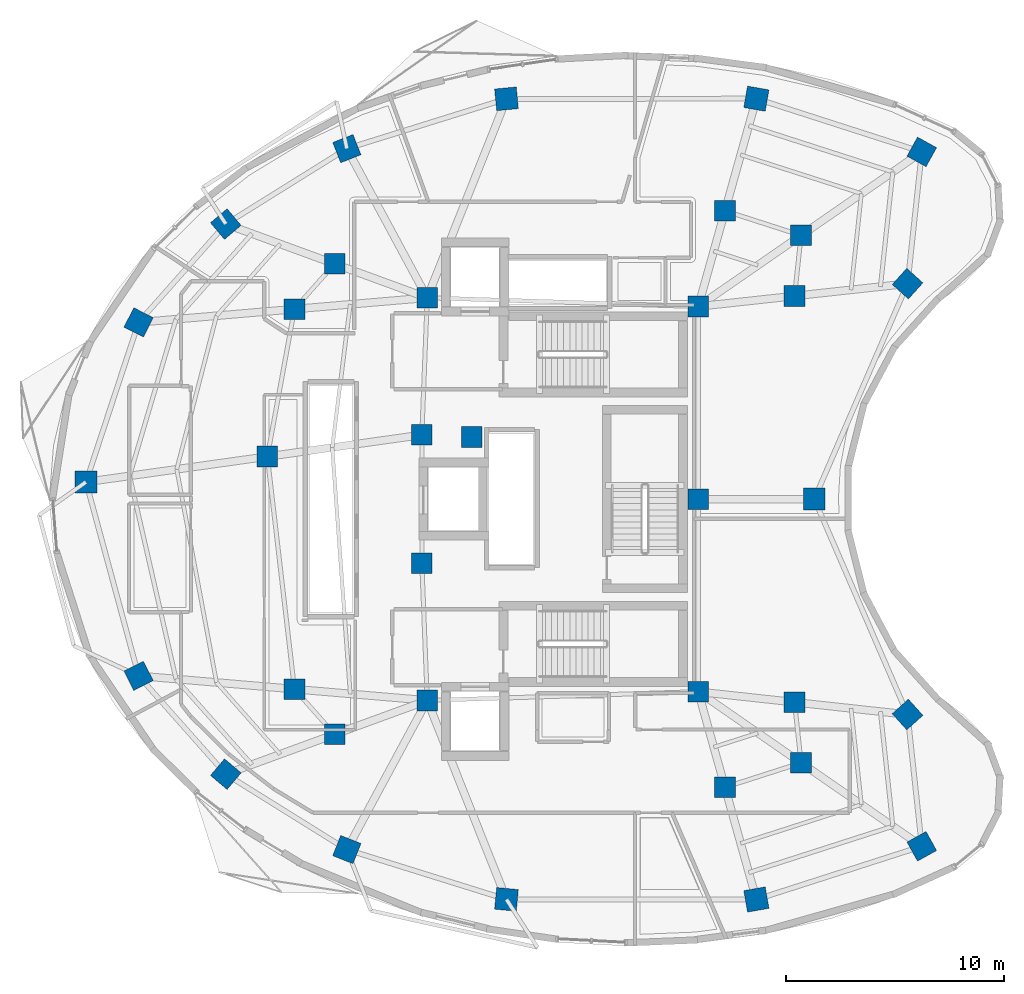
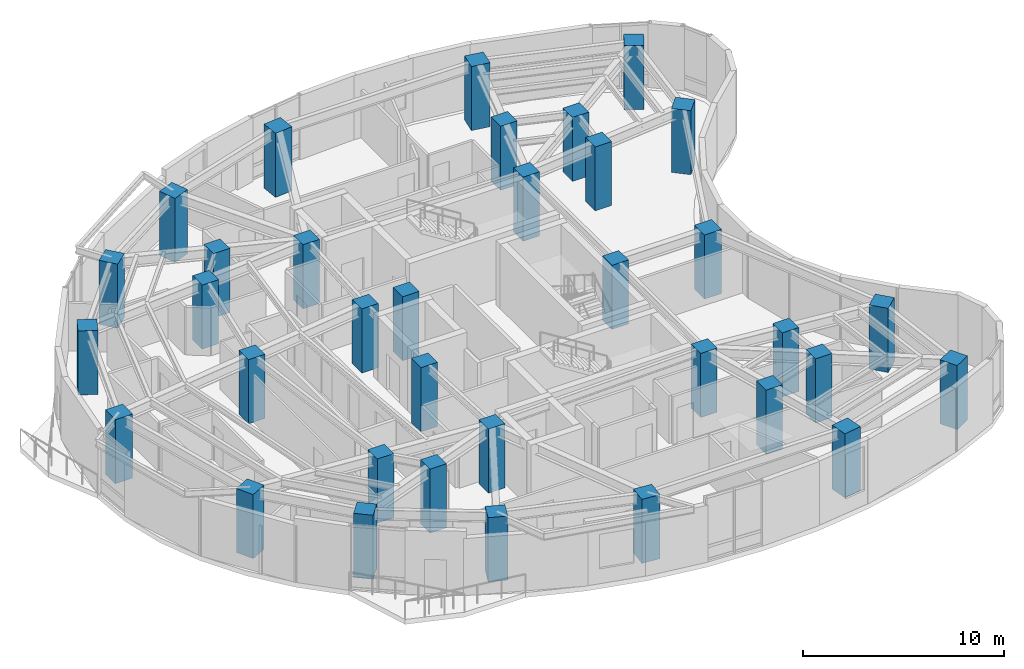
# One storey, part 1 of 13: 35 columns.
"""IFC4 building model written with IfcOpenShell, lengths in metres."""

from ifc_helpers import new_model, si_unit, direction, frame, origin, origin_2d, place, context, subcontext, project, spatial, rectangle, extrude, material, material_profile, profile_set, type_object, element, save


model = new_model("IFC4")

# Units and contexts
model_context = context("Model", 3, precision=1e-05, world=origin(), true_north=direction((0.0, 1.0)))
body_context = subcontext(model_context, "Body", "Model", "MODEL_VIEW")
ifc_project = project(units=[si_unit("LENGTHUNIT", "METRE"), si_unit("AREAUNIT", "SQUARE_METRE"), si_unit("VOLUMEUNIT", "CUBIC_METRE"), si_unit("PLANEANGLEUNIT", "RADIAN"), si_unit("MASSUNIT", "GRAM", prefix="KILO")], contexts=[model_context])

# Site, building, storey
site_placement = place(None, origin())
site = spatial("IfcSite", under=ifc_project, at=site_placement, CompositionType="ELEMENT")
building_placement = place(site_placement, origin())
building = spatial("IfcBuilding", under=site, at=building_placement, Name="Korentha Bioscience Tower", CompositionType="ELEMENT")
storey_placement = place(building_placement, frame((0.0, 0.0, 171.0)))
storey = spatial("IfcBuildingStorey", under=building, at=storey_placement, Name="L39", CompositionType="ELEMENT", Elevation=171.0)

# Columns
ifc_material = material(Name="Concrete C65", Category="concrete")
ifc_material_profile_1 = material_profile(ifc_material, rectangle(XDim=0.949951171875, YDim=0.949951171875, at=origin_2d()), Name="Concrete C65")
ifc_profile_set_1 = profile_set([ifc_material_profile_1], Name="Concrete C65 (COL-CP09)")
column_type_1 = type_object("IfcColumnType", Name="Core Pilaster Column RC 950x950", PredefinedType="PILASTER", material=ifc_profile_set_1)
for number, where, z_axis, x_axis, name in (
    (1, (37.550048828125, 35.85009765625, -0.00048828125), (0.0, 0.0, 1.0), (1.0, 0.0, 0.0), "L39 Core Pilaster CP-01"),
    (2, (25.10009765625, 36.25, -0.00048828125), (0.0, 0.0, 1.0), (1.0, 0.0, 0.0), "L39 Core Pilaster CP-02"),
    (3, (24.85009765625, 29.949951171875, -0.00048828125), (0.0, 0.0, 1.0), (1.0, 0.0, 0.0), "L39 Core Pilaster CP-03"),
    (4, (27.14990234375, 29.85009765625, -0.00048828125), (0.0, 0.0, 1.0), (1.0, 0.0, 0.0), "L39 Core Pilaster CP-04"),
    (5, (24.85009765625, 24.050048828125, -0.00048828125), (0.0, 0.0, 1.0), (1.0, 0.0, 0.0), "L39 Core Pilaster CP-05"),
    (6, (25.10009765625, 17.75, -0.00048828125), (0.0, 0.0, 1.0), (1.0, 0.0, 0.0), "L39 Core Pilaster CP-06"),
    (7, (37.550048828125, 18.14990234375, -0.00048828125), (0.0, 0.0, 1.0), (1.0, 0.0, 0.0), "L39 Core Pilaster CP-07"),
    (8, (37.550048828125, 27.0, -0.00048828125), (0.0, 0.0, 1.0), (1.0, 0.0, 0.0), "L39 Core Pilaster CP-08"),
):
    element("IfcColumn", number, at=place(storey_placement, frame(where, z_axis=z_axis, x_axis=x_axis)), inside=storey, type_object=column_type_1, Name=name, PredefinedType="PILASTER", context=body_context, shape_type="SweptSolid", body=[
        extrude(rectangle(XDim=0.949951171875, YDim=0.949951171875, at=origin_2d()), origin(), (0.0, 0.0, 1.0), 3.90087890625),
    ])
ifc_material_profile_2 = material_profile(ifc_material, rectangle(XDim=0.949951171875, YDim=0.949951171875, at=origin_2d()), Name="Concrete C65")
ifc_profile_set_2 = profile_set([ifc_material_profile_2], Name="Concrete C65 (COL-MR09)")
column_type_2 = type_object("IfcColumnType", Name="Mid-Ring Lab Column RC 950x950", PredefinedType="COLUMN", material=ifc_profile_set_2)
for number, where, z_axis, x_axis, name in (
    (9, (42.274658203125, 39.1171875, -0.00048828125), (0.0, 0.0, 1.0), (1.0, 0.0, 0.0), "L39 Mid-Ring Column 01"),
    (10, (38.77880859375, 40.2412109375, -0.00048828125), (0.0, 0.0, 1.0), (1.0, 0.0, 0.0), "L39 Mid-Ring Column 02"),
    (11, (20.84228515625, 37.807861328125, -0.00048828125), (0.0, 0.0, 1.0), (1.0, 0.0, 0.0), "L39 Mid-Ring Column 05"),
    (12, (18.99951171875, 35.72998046875, -0.00048828125), (0.0, 0.0, 1.0), (1.0, 0.0, 0.0), "L39 Mid-Ring Column 06"),
    (13, (17.75341796875, 28.95458984375, -0.00048828125), (0.0, 0.0, 1.0), (1.0, 0.0, 0.0), "L39 Mid-Ring Column 07"),
    (14, (18.99951171875, 18.27001953125, -0.00048828125), (0.0, 0.0, 1.0), (1.0, 0.0, 0.0), "L39 Mid-Ring Column 08"),
    (15, (20.84228515625, 16.192138671875, -0.00048828125), (0.0, 0.0, 1.0), (1.0, 0.0, 0.0), "L39 Mid-Ring Column 09"),
    (16, (38.77880859375, 13.7587890625, -0.00048828125), (0.0, 0.0, 1.0), (1.0, 0.0, 0.0), "L39 Mid-Ring Column 12"),
    (17, (42.274658203125, 14.8828125, -0.00048828125), (0.0, 0.0, 1.0), (1.0, 0.0, 0.0), "L39 Mid-Ring Column 13"),
    (18, (41.97412109375, 17.66796875, -0.00048828125), (0.0, 0.0, 1.0), (1.0, 0.0, 0.0), "L39 Mid-Ring Column 14"),
    (19, (41.97412109375, 36.33203125, -0.00048828125), (0.0, 0.0, 1.0), (1.0, 0.0, 0.0), "L39 Mid-Ring Column 16"),
):
    element("IfcColumn", number, at=place(storey_placement, frame(where, z_axis=z_axis, x_axis=x_axis)), inside=storey, type_object=column_type_2, Name=name, PredefinedType="COLUMN", context=body_context, shape_type="SweptSolid", body=[
        extrude(rectangle(XDim=0.949951171875, YDim=0.949951171875, at=origin_2d()), origin(), (0.0, 0.0, 1.0), 3.90087890625),
    ])
ifc_material_profile_3 = material_profile(ifc_material, rectangle(XDim=1.0, YDim=1.0, at=origin_2d()), Name="Concrete C65")
ifc_profile_set_3 = profile_set([ifc_material_profile_3], Name="Concrete C65 (COL-P10)")
column_type_3 = type_object("IfcColumnType", Name="Perimeter Column RC 1000x1000", PredefinedType="COLUMN", material=ifc_profile_set_3)
for number, where, z_axis, x_axis, name in (
    (20, (47.821044921875, 42.95263671875, -0.00048828125), (0.0, 0.0, 1.0), (-0.874535078577, 0.484962262797, 0.0), "L39 Perimeter Column 01"),
    (21, (40.22119140625, 45.39599609375, -0.00048828125), (0.0, 0.0, 1.0), (-0.984868307662, 0.173304404339, 0.0), "L39 Perimeter Column 02"),
    (22, (28.739501953125, 45.390380859375, -0.00048828125), (0.0, 0.0, 1.0), (0.995462868748, 0.095150811579, 0.0), "L39 Perimeter Column 03"),
    (23, (21.405517578125, 43.102783203125, -0.00048828125), (0.0, 0.0, 1.0), (0.930225540858, 0.366988341962, 0.0), "L39 Perimeter Column 04"),
    (24, (15.843994140625, 39.63671875, -0.00048828125), (0.0, 0.0, 1.0), (0.764246456939, 0.644924300253, 0.0), "L39 Perimeter Column 05"),
    (25, (11.837890625, 35.119384765625, -0.00048828125), (0.0, 0.0, 1.0), (0.453057191132, 0.891481453292, 0.0), "L39 Perimeter Column 06"),
    (26, (9.422607421875, 27.785888671875, -0.00048828125), (0.0, 0.0, 1.0), (0.0, 1.0, 0.0), "L39 Perimeter Column 07"),
    (27, (11.837890625, 18.880615234375, -0.00048828125), (0.0, 0.0, 1.0), (-0.453057191132, 0.891481453292, 0.0), "L39 Perimeter Column 08"),
    (28, (15.843994140625, 14.36328125, -0.00048828125), (0.0, 0.0, 1.0), (-0.764246456939, 0.644924300253, 0.0), "L39 Perimeter Column 09"),
    (29, (21.405517578125, 10.897216796875, -0.00048828125), (0.0, 0.0, 1.0), (-0.930225540858, 0.366988341962, 0.0), "L39 Perimeter Column 10"),
    (30, (28.739501953125, 8.609619140625, -0.00048828125), (0.0, 0.0, 1.0), (-0.995462868748, 0.095150811579, 0.0), "L39 Perimeter Column 11"),
    (31, (40.22119140625, 8.60400390625, -0.00048828125), (0.0, 0.0, 1.0), (0.984868307662, 0.173304404339, 0.0), "L39 Perimeter Column 12"),
    (32, (47.821044921875, 11.04736328125, -0.00048828125), (0.0, 0.0, 1.0), (0.874535078577, 0.484962262797, 0.0), "L39 Perimeter Column 13"),
    (33, (47.16748046875, 17.10205078125, -0.00048828125), (0.0, 0.0, 1.0), (-0.669130606359, 0.743144825477, 0.0), "L39 Perimeter Column 14"),
    (34, (42.8818359375, 27.0, -0.00048828125), (0.0, 0.0, 1.0), (0.0, 1.0, 0.0), "L39 Perimeter Column 15"),
    (35, (47.16748046875, 36.89794921875, -0.00048828125), (0.0, 0.0, 1.0), (0.669130606359, 0.743144825477, 0.0), "L39 Perimeter Column 16"),
):
    element("IfcColumn", number, at=place(storey_placement, frame(where, z_axis=z_axis, x_axis=x_axis)), inside=storey, type_object=column_type_3, Name=name, PredefinedType="COLUMN", context=body_context, shape_type="SweptSolid", body=[
        extrude(rectangle(XDim=1.0, YDim=1.0, at=origin_2d()), origin(), (0.0, 0.0, 1.0), 3.90087890625),
    ])

save(model, "model.ifc")
